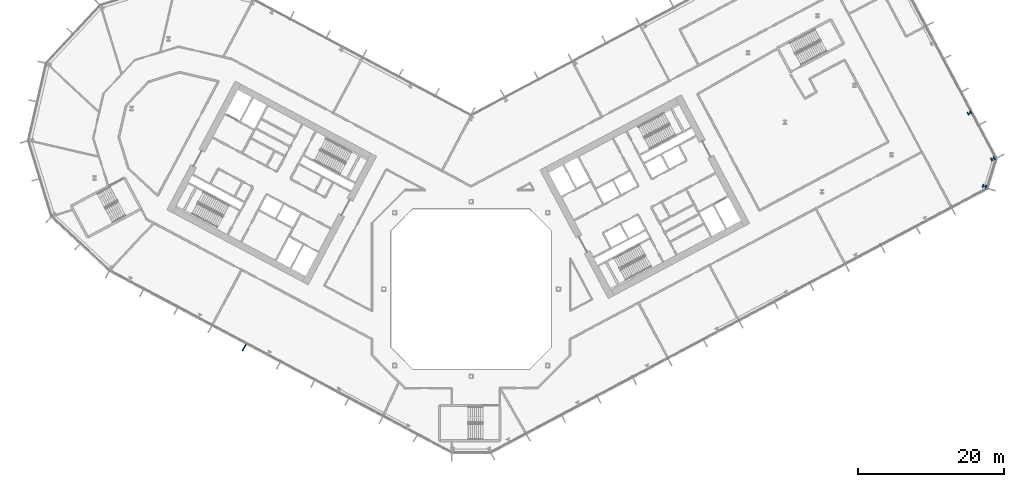
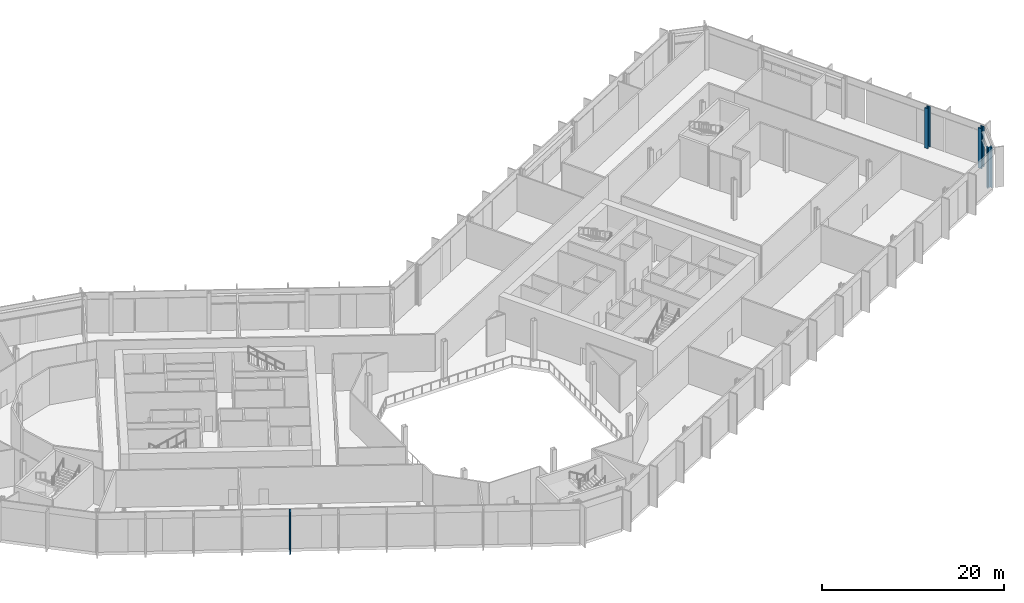
# One storey, part 5 of 30: 3 columns, 1 member, 1 element without a shape of its own.
"""IFC4 building model written with IfcOpenShell, lengths in metres."""

from ifc_helpers import new_model, si_unit, direction, frame, origin, origin_2d, place, context, subcontext, project, spatial, rectangle, i_section, extrude, material, layer, layer_set, material_profile, profile_set, type_object, element, aggregate, save


model = new_model("IFC4")

# Units and contexts
model_context = context("Model", 3, precision=1e-05, world=origin(), true_north=direction((0.0, 1.0)))
body_context = subcontext(model_context, "Body", "Model", "MODEL_VIEW")
ifc_project = project(units=[si_unit("LENGTHUNIT", "METRE"), si_unit("AREAUNIT", "SQUARE_METRE"), si_unit("VOLUMEUNIT", "CUBIC_METRE"), si_unit("PLANEANGLEUNIT", "RADIAN"), si_unit("MASSUNIT", "GRAM", prefix="KILO")], contexts=[model_context])

# Site, building, storey
site_placement = place(None, origin())
site = spatial("IfcSite", under=ifc_project, at=site_placement, CompositionType="ELEMENT")
building_placement = place(site_placement, origin())
building = spatial("IfcBuilding", under=site, at=building_placement, Name="Cormorant Relay Tower", CompositionType="ELEMENT")
storey_placement = place(building_placement, frame((0.0, 0.0, 55.39990234375)))
storey = spatial("IfcBuildingStorey", under=building, at=storey_placement, Name="L10", CompositionType="ELEMENT", Elevation=55.39990234375)

# Columns
ifc_material_1 = material(Name="Steel ASTM A992 (Fy 345 MPa)", Category="steel")
ifc_material_profile_1 = material_profile(ifc_material_1, i_section(OverallWidth=0.45458984375, OverallDepth=0.569091796875, WebThickness=0.077880859375, FlangeThickness=0.124755859375, FilletRadius=0.015380859375, at=origin_2d()), Name="W360x1086")
ifc_profile_set_1 = profile_set([ifc_material_profile_1], Name="Steel ASTM A992 (Fy 345 MPa)")
column_type_1 = type_object("IfcColumnType", Name="Column W360x1086", PredefinedType="COLUMN", material=ifc_profile_set_1)
for number, where, z_axis, x_axis, name in (
    (1, (70.47412109375, 14.10595703125, 0.0), (0.0, 0.0, 1.0), (0.292371704723, 0.956304755963, 0.0), "Column L10-026"),
    (2, (71.625, 17.87109375, 0.0), (0.0, 0.0, 1.0), (-0.469471562786, 0.882947592859, 0.0), "Column L10-028"),
):
    element("IfcColumn", number, at=place(storey_placement, frame(where, z_axis=z_axis, x_axis=x_axis)), inside=storey, type_object=column_type_1, Name=name, PredefinedType="COLUMN", context=body_context, shape_type="SweptSolid", body=[
        extrude(i_section(OverallWidth=0.45458984375, OverallDepth=0.569091796875, WebThickness=0.077880859375, FlangeThickness=0.124755859375, FilletRadius=0.015380859375, at=origin_2d()), origin(), (0.0, 0.0, 1.0), 5.400146484375),
    ])
ifc_material_2 = material(Name="Steel ASTM A992 (Fy 345 MPa)", Category="steel")
ifc_material_profile_2 = material_profile(ifc_material_2, i_section(OverallWidth=0.43701171875, OverallDepth=0.51318359375, WebThickness=0.060546875, FlangeThickness=0.096923828125, FilletRadius=0.015380859375, at=origin_2d()), Name="W360x818")
ifc_profile_set_2 = profile_set([ifc_material_profile_2], Name="Steel ASTM A992 (Fy 345 MPa)")
column_type_2 = type_object("IfcColumnType", Name="Column W360x818", PredefinedType="COLUMN", material=ifc_profile_set_2)
column_placement = place(storey_placement, frame((68.4130859375, 24.14404296875, 0.0), z_axis=(0.0, 0.0, 1.0), x_axis=(-0.469471562786, 0.882947592859, 0.0)))
element("IfcColumn", 3, at=column_placement, inside=storey, type_object=column_type_2, Name="Column L10-033", PredefinedType="COLUMN", context=body_context, shape_type="SweptSolid", body=[
    extrude(i_section(OverallWidth=0.43701171875, OverallDepth=0.51318359375, WebThickness=0.060546875, FlangeThickness=0.096923828125, FilletRadius=0.015380859375, at=origin_2d()), origin(), (0.0, 0.0, 1.0), 5.400146484375),
])

# Curtain wall, member
ifc_material_3 = material(Name="Aluminium 6063-T6 anodised bronze", Category="aluminium")
ifc_layer = layer(ifc_material_3, 0.235107421875)
ifc_layer_set = layer_set([ifc_layer], Name="CW6 data hall curtain wall with mineral wool panels")
curtain_wall_type = type_object("IfcCurtainWallType", Name="CW6 data hall curtain wall with mineral wool panels", PredefinedType="NOTDEFINED", material=ifc_layer_set)
curtain_wall_placement = place(storey_placement, origin())
curtain_wall = element("IfcCurtainWall", 4, at=curtain_wall_placement, inside=storey, type_object=curtain_wall_type, Name="CW6 curtain wall 14", PredefinedType="NOTDEFINED")
ifc_material_4 = material(Name="Aluminium 6063-T6 anodised bronze", Category="aluminium")
ifc_material_profile_3 = material_profile(ifc_material_4, rectangle(XDim=0.14990234375, YDim=1.0, at=origin_2d()), Name="AL 150x1000")
ifc_profile_set_3 = profile_set([ifc_material_profile_3], Name="Aluminium 6063-T6 anodised bronze")
member_type = type_object("IfcMemberType", Name="CW6 bronze fin mullion 150 x 1000", PredefinedType="MULLION", material=ifc_profile_set_3)
member_placement = place(storey_placement, frame((-31.159423828125, -8.048583984375, 0.0), z_axis=(0.0, 0.0, 1.0), x_axis=(0.882947592859, -0.469471562786, 0.0)))
member = element("IfcMember", 5, at=member_placement, type_object=member_type, Name="CW6 fin 14.5", PredefinedType="MULLION", context=body_context, shape_type="SweptSolid", body=[
    extrude(rectangle(XDim=0.14990234375, YDim=1.0, at=origin_2d()), origin(), (0.0, 0.0, 1.0), 5.400146484375),
])
aggregate(curtain_wall, [member])

save(model, "model.ifc")
